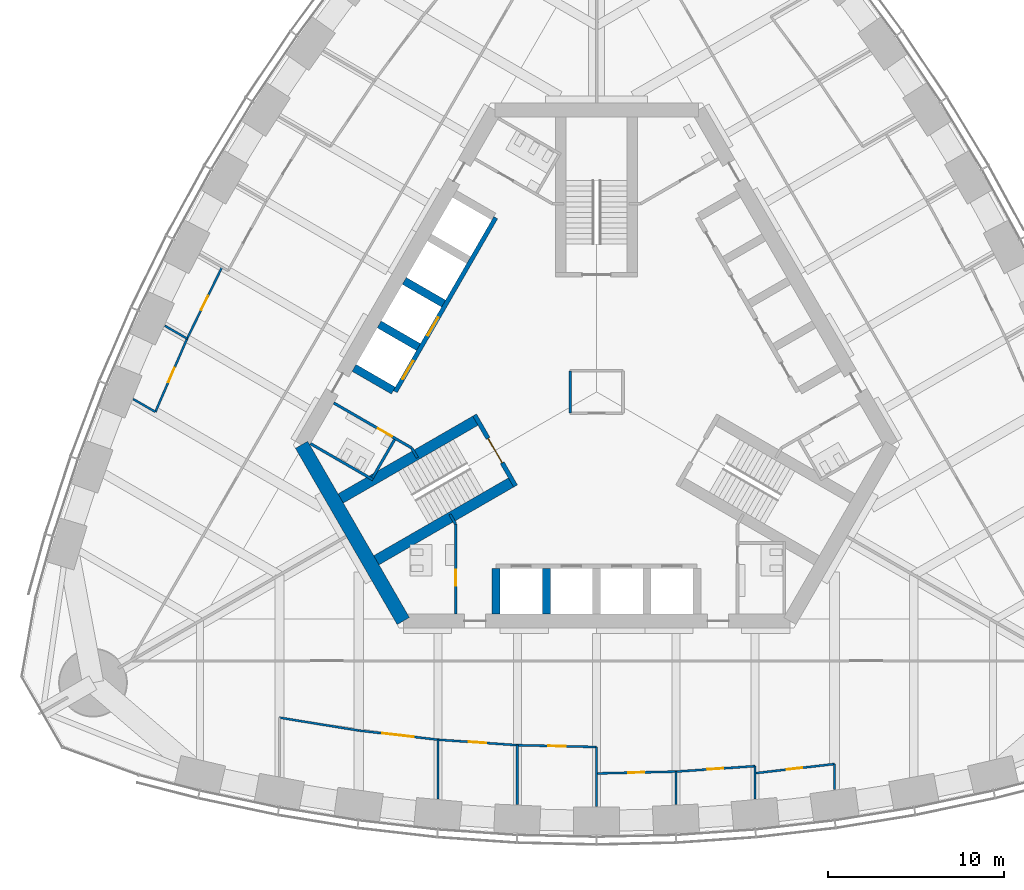
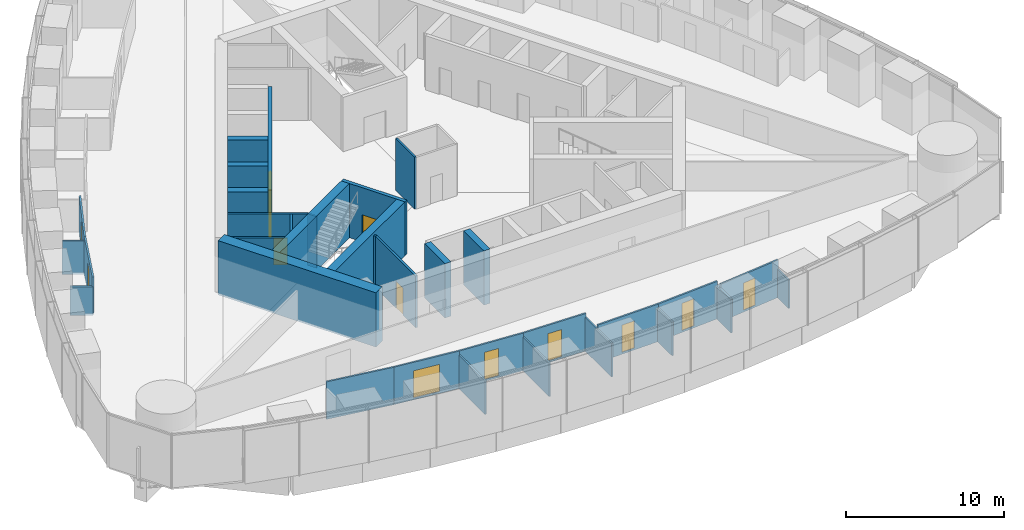
# One storey, part 11 of 19: 34 walls, 13 doors, 13 openings.
"""IFC4 building model written with IfcOpenShell, lengths in metres."""

from ifc_helpers import new_model, si_unit, direction, frame, frame_2d, origin, place, context, subcontext, project, spatial, rectangle, extrude, material, layer, layer_set, type_object, element, fill, save


model = new_model("IFC4")

# Units and contexts
model_context = context("Model", 3, precision=1e-05, world=origin(), true_north=direction((0.0, 1.0)))
body_context = subcontext(model_context, "Body", "Model", "MODEL_VIEW")
ifc_project = project(units=[si_unit("LENGTHUNIT", "METRE"), si_unit("AREAUNIT", "SQUARE_METRE"), si_unit("VOLUMEUNIT", "CUBIC_METRE"), si_unit("PLANEANGLEUNIT", "RADIAN"), si_unit("MASSUNIT", "GRAM", prefix="KILO")], contexts=[model_context])

# Site, building, storey
site_placement = place(None, origin())
site = spatial("IfcSite", under=ifc_project, at=site_placement, CompositionType="ELEMENT")
building_placement = place(site_placement, origin())
building = spatial("IfcBuilding", under=site, at=building_placement, Name="Trefoil Bronze Tower", CompositionType="ELEMENT")
storey_placement = place(building_placement, frame((0.0, 0.0, 189.699951171875)))
storey = spatial("IfcBuildingStorey", under=building, at=storey_placement, Name="L43", CompositionType="ELEMENT", Elevation=189.699951171875)

# Wall
ifc_material_1 = material(Name="Concrete B80", Category="concrete")
ifc_layer_1 = layer(ifc_material_1, 0.800048828125)
ifc_layer_set_1 = layer_set([ifc_layer_1], Name="Core wall 800")
wall_type_1 = type_object("IfcWallType", Name="Core wall 800", PredefinedType="SHEAR", material=ifc_layer_set_1)
wall_1_placement = place(storey_placement, frame((-16.7431640625, -3.0, 0.0), z_axis=(0.0, 0.0, 1.0), x_axis=(0.499995765644, -0.866027848477, 0.0)))
element("IfcWall", 1, at=wall_1_placement, inside=storey, type_object=wall_type_1, Name="Core short wall 3 L43", PredefinedType="SHEAR", context=body_context, shape_type="SweptSolid", body=[
    extrude(rectangle(XDim=11.546875, YDim=0.800048828125, at=frame_2d((5.7734375, 0.0))), origin(), (0.0, 0.0, 1.0), 4.199951171875),
])

# Wall, opening, door
ifc_material_2 = material(Name="Glazed partition", Category="glass")
ifc_layer_2 = layer(ifc_material_2, 0.1201171875)
ifc_layer_set_2 = layer_set([ifc_layer_2], Name="Glazed partition 120")
wall_type_2 = type_object("IfcWallType", Name="Glazed partition 120", PredefinedType="PARTITIONING", material=ifc_layer_set_2)
wall_2_placement = place(storey_placement, frame((0.0, -21.650634765625, 0.0), z_axis=(0.0, 0.0, 1.0), x_axis=(0.99973552509, 0.022997388381, 0.0)))
wall_2 = element("IfcWall", 2, at=wall_2_placement, inside=storey, type_object=wall_type_2, Name="Partition F1 L43", PredefinedType="PARTITIONING", context=body_context, shape_type="SweptSolid", body=[
    extrude(rectangle(XDim=4.501220703125, YDim=0.1201171875, at=frame_2d((2.25048828125, 0.0))), origin(), (0.0, 0.0, 1.0), 2.900146484375),
])
opening_1_placement = place(wall_2_placement, frame((1.800048828125, 0.0, 0.14990234375)))
opening_1 = element("IfcOpeningElement", 3, at=opening_1_placement, cuts=wall_2, Name="Opening D8", PredefinedType="OPENING", context=body_context, shape_type="SweptSolid", body=[
    extrude(rectangle(XDim=0.89990234375, YDim=2.10009765625, at=frame_2d((0.449951171875, 1.050048828125))), frame((0.0, 0.070068359375, 0.0), z_axis=(0.0, -1.0, 0.0), x_axis=(1.0, 0.0, 0.0)), (0.0, 0.0, 1.0), 0.14013671875),
])
ifc_material_3 = material(Name="Timber door", Category="wood")
door_type_1 = type_object("IfcDoorType", Name="Office door 900", OperationType="SINGLE_SWING_LEFT", PredefinedType="DOOR", material=ifc_material_3)
door_1_placement = place(opening_1_placement, frame((0.89990234375, 0.0, 0.0), z_axis=(0.0, 0.0, 1.0), x_axis=(-1.0, 0.0, 0.0)))
door_1 = element("IfcDoor", 4, at=door_1_placement, inside=storey, type_object=door_type_1, Name="Focus room door F1 L43", OperationType="SINGLE_SWING_RIGHT", OverallHeight=2.10009765625, OverallWidth=0.89990234375, PredefinedType="DOOR", context=body_context, shape_type="SweptSolid", body=[
    extrude(rectangle(XDim=0.89990234375, YDim=2.10009765625, at=frame_2d((0.449951171875, 1.050048828125))), frame((0.0, 0.02490234375, 0.0), z_axis=(0.0, -1.0, 0.0), x_axis=(1.0, 0.0, 0.0)), (0.0, 0.0, 1.0), 0.050048828125),
])
fill(opening_1, door_1)

wall_3_placement = place(storey_placement, frame((4.5, -21.547119140625, 0.0), z_axis=(0.0, 0.0, 1.0), x_axis=(0.997623533978, 0.068900540297, 0.0)))
wall_3 = element("IfcWall", 5, at=wall_3_placement, inside=storey, type_object=wall_type_2, Name="Partition F1 L43", PredefinedType="PARTITIONING", context=body_context, shape_type="SweptSolid", body=[
    extrude(rectangle(XDim=4.5107421875, YDim=0.1201171875, at=frame_2d((2.25537109375, 0.0))), origin(), (0.0, 0.0, 1.0), 2.900146484375),
])
opening_2_placement = place(wall_3_placement, frame((1.800048828125, 0.0, 0.14990234375)))
opening_2 = element("IfcOpeningElement", 6, at=opening_2_placement, cuts=wall_3, Name="Opening D8", PredefinedType="OPENING", context=body_context, shape_type="SweptSolid", body=[
    extrude(rectangle(XDim=0.89990234375, YDim=2.10009765625, at=frame_2d((0.449951171875, 1.050048828125))), frame((0.0, 0.070068359375, 0.0), z_axis=(0.0, -1.0, 0.0), x_axis=(1.0, 0.0, 0.0)), (0.0, 0.0, 1.0), 0.14013671875),
])
door_2_placement = place(opening_2_placement, frame((0.89990234375, 0.0, 0.0), z_axis=(0.0, 0.0, 1.0), x_axis=(-1.0, 0.0, 0.0)))
door_2 = element("IfcDoor", 7, at=door_2_placement, inside=storey, type_object=door_type_1, Name="Focus room door F1 L43", OperationType="SINGLE_SWING_RIGHT", OverallHeight=2.10009765625, OverallWidth=0.89990234375, PredefinedType="DOOR", context=body_context, shape_type="SweptSolid", body=[
    extrude(rectangle(XDim=0.89990234375, YDim=2.10009765625, at=frame_2d((0.449951171875, 1.050048828125))), frame((0.0, 0.02490234375, 0.0), z_axis=(0.0, -1.0, 0.0), x_axis=(1.0, 0.0, 0.0)), (0.0, 0.0, 1.0), 0.050048828125),
])
fill(opening_2, door_2)

wall_4_placement = place(storey_placement, frame((9.0, -21.636474609375, 0.0), z_axis=(0.0, 0.0, 1.0), x_axis=(0.993376796464, 0.114902307404, 0.0)))
wall_4 = element("IfcWall", 8, at=wall_4_placement, inside=storey, type_object=wall_type_2, Name="Partition F1 L43", PredefinedType="PARTITIONING", context=body_context, shape_type="SweptSolid", body=[
    extrude(rectangle(XDim=4.530029296875, YDim=0.1201171875, at=frame_2d((2.26513671875, 0.0))), origin(), (0.0, 0.0, 1.0), 2.900146484375),
])
opening_3_placement = place(wall_4_placement, frame((1.800048828125, 0.0, 0.14990234375)))
opening_3 = element("IfcOpeningElement", 9, at=opening_3_placement, cuts=wall_4, Name="Opening D8", PredefinedType="OPENING", context=body_context, shape_type="SweptSolid", body=[
    extrude(rectangle(XDim=0.89990234375, YDim=2.10009765625, at=frame_2d((0.449951171875, 1.050048828125))), frame((0.0, 0.070068359375, 0.0), z_axis=(0.0, -1.0, 0.0), x_axis=(1.0, 0.0, 0.0)), (0.0, 0.0, 1.0), 0.14013671875),
])
door_3_placement = place(opening_3_placement, frame((0.89990234375, 0.0, 0.0), z_axis=(0.0, 0.0, 1.0), x_axis=(-1.0, 0.0, 0.0)))
door_3 = element("IfcDoor", 10, at=door_3_placement, inside=storey, type_object=door_type_1, Name="Print and store room door F1 L43", OperationType="SINGLE_SWING_RIGHT", OverallHeight=2.10009765625, OverallWidth=0.89990234375, PredefinedType="DOOR", context=body_context, shape_type="SweptSolid", body=[
    extrude(rectangle(XDim=0.89990234375, YDim=2.10009765625, at=frame_2d((0.449951171875, 1.050048828125))), frame((0.0, 0.02490234375, 0.0), z_axis=(0.0, -1.0, 0.0), x_axis=(1.0, 0.0, 0.0)), (0.0, 0.0, 1.0), 0.050048828125),
])
fill(opening_3, door_3)

wall_5_placement = place(storey_placement, frame((-13.5, -19.216064453125, 0.0), z_axis=(0.0, 0.0, 1.0), x_axis=(0.993382946625, -0.114849124309, 0.0)))
wall_5 = element("IfcWall", 11, at=wall_5_placement, inside=storey, type_object=wall_type_2, Name="Partition F1 L43", PredefinedType="PARTITIONING", context=body_context, shape_type="SweptSolid", body=[
    extrude(rectangle(XDim=4.530029296875, YDim=0.1201171875, at=frame_2d((2.26513671875, 0.0))), origin(), (0.0, 0.0, 1.0), 2.900146484375),
])
opening_4_placement = place(wall_5_placement, frame((1.35009765625, 0.0, 0.14990234375)))
opening_4 = element("IfcOpeningElement", 12, at=opening_4_placement, cuts=wall_5, Name="Opening D10", PredefinedType="OPENING", context=body_context, shape_type="SweptSolid", body=[
    extrude(rectangle(XDim=1.800048828125, YDim=2.10009765625, at=frame_2d((0.89990234375, 1.050048828125))), frame((0.0, 0.070068359375, 0.0), z_axis=(0.0, -1.0, 0.0), x_axis=(1.0, 0.0, 0.0)), (0.0, 0.0, 1.0), 0.14013671875),
])
ifc_material_4 = material(Name="Timber door", Category="wood")
door_type_2 = type_object("IfcDoorType", Name="Double door 1800", OperationType="DOUBLE_DOOR_SINGLE_SWING", PredefinedType="DOOR", material=ifc_material_4)
door_4_placement = place(opening_4_placement, frame((1.800048828125, 0.0, 0.0), z_axis=(0.0, 0.0, 1.0), x_axis=(-1.0, 0.0, 0.0)))
door_4 = element("IfcDoor", 13, at=door_4_placement, inside=storey, type_object=door_type_2, Name="Kitchen and breakout door F1 L43", OperationType="DOUBLE_DOOR_SINGLE_SWING", OverallHeight=2.10009765625, OverallWidth=1.800048828125, PredefinedType="DOOR", context=body_context, shape_type="SweptSolid", body=[
    extrude(rectangle(XDim=1.800048828125, YDim=2.10009765625, at=frame_2d((0.89990234375, 1.050048828125))), frame((0.0, 0.02490234375, 0.0), z_axis=(0.0, -1.0, 0.0), x_axis=(1.0, 0.0, 0.0)), (0.0, 0.0, 1.0), 0.050048828125),
])
fill(opening_4, door_4)

# Wall
wall_6_placement = place(storey_placement, frame((-18.0, -18.48291015625, 0.0), z_axis=(0.0, 0.0, 1.0), x_axis=(0.986986525477, -0.160802980469, 0.0)))
element("IfcWall", 14, at=wall_6_placement, inside=storey, type_object=wall_type_2, Name="Partition F1 L43", PredefinedType="PARTITIONING", context=body_context, shape_type="SweptSolid", body=[
    extrude(rectangle(XDim=4.559326171875, YDim=0.1201171875, at=frame_2d((2.27978515625, 0.0))), origin(), (0.0, 0.0, 1.0), 2.900146484375),
])

# Wall, opening, door
wall_7_placement = place(storey_placement, frame((-4.5, -20.047119140625, 0.0), z_axis=(0.0, 0.0, 1.0), x_axis=(0.99973552509, -0.022997388381, 0.0)))
wall_7 = element("IfcWall", 15, at=wall_7_placement, inside=storey, type_object=wall_type_2, Name="Partition F1 L43", PredefinedType="PARTITIONING", context=body_context, shape_type="SweptSolid", body=[
    extrude(rectangle(XDim=4.501220703125, YDim=0.1201171875, at=frame_2d((2.25048828125, 0.0))), origin(), (0.0, 0.0, 1.0), 2.900146484375),
])
opening_5_placement = place(wall_7_placement, frame((1.75, 0.0, 0.14990234375)))
opening_5 = element("IfcOpeningElement", 16, at=opening_5_placement, cuts=wall_7, Name="Opening D9", PredefinedType="OPENING", context=body_context, shape_type="SweptSolid", body=[
    extrude(rectangle(XDim=1.0, YDim=2.10009765625, at=frame_2d((0.5, 1.050048828125))), frame((0.0, 0.070068359375, 0.0), z_axis=(0.0, -1.0, 0.0), x_axis=(1.0, 0.0, 0.0)), (0.0, 0.0, 1.0), 0.14013671875),
])
ifc_material_5 = material(Name="Glazed timber door", Category="wood")
door_type_3 = type_object("IfcDoorType", Name="Meeting room door 1000", OperationType="SINGLE_SWING_LEFT", PredefinedType="DOOR", material=ifc_material_5)
door_5_placement = place(opening_5_placement, frame((1.0, 0.0, 0.0), z_axis=(0.0, 0.0, 1.0), x_axis=(-1.0, 0.0, 0.0)))
door_5 = element("IfcDoor", 17, at=door_5_placement, inside=storey, type_object=door_type_3, Name="Meeting room door F1 L43", OperationType="SINGLE_SWING_RIGHT", OverallHeight=2.10009765625, OverallWidth=1.0, PredefinedType="DOOR", context=body_context, shape_type="SweptSolid", body=[
    extrude(rectangle(XDim=1.0, YDim=2.10009765625, at=frame_2d((0.5, 1.050048828125))), frame((0.0, 0.02490234375, 0.0), z_axis=(0.0, -1.0, 0.0), x_axis=(1.0, 0.0, 0.0)), (0.0, 0.0, 1.0), 0.050048828125),
])
fill(opening_5, door_5)

wall_8_placement = place(storey_placement, frame((-9.0, -19.736328125, 0.0), z_axis=(0.0, 0.0, 1.0), x_axis=(0.997623533978, -0.068900540297, 0.0)))
wall_8 = element("IfcWall", 18, at=wall_8_placement, inside=storey, type_object=wall_type_2, Name="Partition F1 L43", PredefinedType="PARTITIONING", context=body_context, shape_type="SweptSolid", body=[
    extrude(rectangle(XDim=4.5107421875, YDim=0.1201171875, at=frame_2d((2.25537109375, 0.0))), origin(), (0.0, 0.0, 1.0), 2.900146484375),
])
opening_6_placement = place(wall_8_placement, frame((1.75, 0.0, 0.14990234375)))
opening_6 = element("IfcOpeningElement", 19, at=opening_6_placement, cuts=wall_8, Name="Opening D9", PredefinedType="OPENING", context=body_context, shape_type="SweptSolid", body=[
    extrude(rectangle(XDim=1.0, YDim=2.10009765625, at=frame_2d((0.5, 1.050048828125))), frame((0.0, 0.070068359375, 0.0), z_axis=(0.0, -1.0, 0.0), x_axis=(1.0, 0.0, 0.0)), (0.0, 0.0, 1.0), 0.14013671875),
])
door_6_placement = place(opening_6_placement, frame((1.0, 0.0, 0.0), z_axis=(0.0, 0.0, 1.0), x_axis=(-1.0, 0.0, 0.0)))
door_6 = element("IfcDoor", 20, at=door_6_placement, inside=storey, type_object=door_type_3, Name="Meeting room door F1 L43", OperationType="SINGLE_SWING_RIGHT", OverallHeight=2.10009765625, OverallWidth=1.0, PredefinedType="DOOR", context=body_context, shape_type="SweptSolid", body=[
    extrude(rectangle(XDim=1.0, YDim=2.10009765625, at=frame_2d((0.5, 1.050048828125))), frame((0.0, 0.02490234375, 0.0), z_axis=(0.0, -1.0, 0.0), x_axis=(1.0, 0.0, 0.0)), (0.0, 0.0, 1.0), 0.050048828125),
])
fill(opening_6, door_6)

# Walls
wall_9_placement = place(storey_placement, frame((0.0, -20.150634765625, 0.0), z_axis=(0.0, 0.0, 1.0), x_axis=(0.0, -1.0, 0.0)))
element("IfcWall", 21, at=wall_9_placement, inside=storey, type_object=wall_type_2, Name="Partition F1 L43", PredefinedType="PARTITIONING", context=body_context, shape_type="SweptSolid", body=[
    extrude(rectangle(XDim=3.3701171875, YDim=0.1201171875, at=frame_2d((1.68505859375, 0.0))), origin(), (0.0, 0.0, 1.0), 2.60009765625),
])
wall_10_placement = place(storey_placement, frame((13.5, -21.115966796875, 0.0), z_axis=(0.0, 0.0, 1.0), x_axis=(0.0, -1.0, 0.0)))
element("IfcWall", 22, at=wall_10_placement, inside=storey, type_object=wall_type_2, Name="Partition F1 L43", PredefinedType="PARTITIONING", context=body_context, shape_type="SweptSolid", body=[
    extrude(rectangle(XDim=1.45458984375, YDim=0.1201171875, at=frame_2d((0.727294921875, 0.0))), origin(), (0.0, 0.0, 1.0), 2.199951171875),
])
wall_11_placement = place(storey_placement, frame((4.5, -21.547119140625, 0.0), z_axis=(0.0, 0.0, 1.0), x_axis=(0.0, -1.0, 0.0)))
element("IfcWall", 23, at=wall_11_placement, inside=storey, type_object=wall_type_2, Name="Partition F1 L43", PredefinedType="PARTITIONING", context=body_context, shape_type="SweptSolid", body=[
    extrude(rectangle(XDim=1.868408203125, YDim=0.1201171875, at=frame_2d((0.93408203125, 0.0))), origin(), (0.0, 0.0, 1.0), 2.60009765625),
])
wall_12_placement = place(storey_placement, frame((9.0, -21.236328125, 0.0), z_axis=(0.0, 0.0, 1.0), x_axis=(0.0, -1.0, 0.0)))
element("IfcWall", 24, at=wall_12_placement, inside=storey, type_object=wall_type_2, Name="Partition F1 L43", PredefinedType="PARTITIONING", context=body_context, shape_type="SweptSolid", body=[
    extrude(rectangle(XDim=1.86328125, YDim=0.1201171875, at=frame_2d((0.931640625, 0.0))), origin(), (0.0, 0.0, 1.0), 2.60009765625),
])
wall_13_placement = place(storey_placement, frame((-4.5, -20.047119140625, 0.0), z_axis=(0.0, 0.0, 1.0), x_axis=(0.0, -1.0, 0.0)))
element("IfcWall", 25, at=wall_13_placement, inside=storey, type_object=wall_type_2, Name="Partition F1 L43", PredefinedType="PARTITIONING", context=body_context, shape_type="SweptSolid", body=[
    extrude(rectangle(XDim=3.368408203125, YDim=0.1201171875, at=frame_2d((1.68408203125, 0.0))), origin(), (0.0, 0.0, 1.0), 2.60009765625),
])
wall_14_placement = place(storey_placement, frame((-9.0, -19.736328125, 0.0), z_axis=(0.0, 0.0, 1.0), x_axis=(0.0, -1.0, 0.0)))
element("IfcWall", 26, at=wall_14_placement, inside=storey, type_object=wall_type_2, Name="Partition F1 L43", PredefinedType="PARTITIONING", context=body_context, shape_type="SweptSolid", body=[
    extrude(rectangle(XDim=3.36328125, YDim=0.1201171875, at=frame_2d((1.681640625, 0.0))), origin(), (0.0, 0.0, 1.0), 2.60009765625),
])

# Wall, opening, door
wall_15_placement = place(storey_placement, frame((-21.2568359375, 7.076416015625, 0.0), z_axis=(0.0, 0.0, 1.0), x_axis=(-0.43911984878, -0.898428493764, 0.0)))
wall_15 = element("IfcWall", 27, at=wall_15_placement, inside=storey, type_object=wall_type_2, Name="Partition F3 L43", PredefinedType="PARTITIONING", context=body_context, shape_type="SweptSolid", body=[
    extrude(rectangle(XDim=4.5107421875, YDim=0.1201171875, at=frame_2d((2.25537109375, 0.0))), origin(), (0.0, 0.0, 1.0), 2.900146484375),
])
opening_7_placement = place(wall_15_placement, frame((1.800048828125, 0.0, 0.14990234375)))
opening_7 = element("IfcOpeningElement", 28, at=opening_7_placement, cuts=wall_15, Name="Opening D8", PredefinedType="OPENING", context=body_context, shape_type="SweptSolid", body=[
    extrude(rectangle(XDim=0.89990234375, YDim=2.10009765625, at=frame_2d((0.449951171875, 1.050048828125))), frame((0.0, 0.070068359375, 0.0), z_axis=(0.0, -1.0, 0.0), x_axis=(1.0, 0.0, 0.0)), (0.0, 0.0, 1.0), 0.14013671875),
])
door_7_placement = place(opening_7_placement, frame((0.89990234375, 0.0, 0.0), z_axis=(0.0, 0.0, 1.0), x_axis=(-1.0, 0.0, 0.0)))
door_7 = element("IfcDoor", 29, at=door_7_placement, inside=storey, type_object=door_type_1, Name="Print and store room door F3 L43", OperationType="SINGLE_SWING_RIGHT", OverallHeight=2.10009765625, OverallWidth=0.89990234375, PredefinedType="DOOR", context=body_context, shape_type="SweptSolid", body=[
    extrude(rectangle(XDim=0.89990234375, YDim=2.10009765625, at=frame_2d((0.449951171875, 1.050048828125))), frame((0.0, 0.02490234375, 0.0), z_axis=(0.0, -1.0, 0.0), x_axis=(1.0, 0.0, 0.0)), (0.0, 0.0, 1.0), 0.050048828125),
])
fill(opening_7, door_7)

wall_16_placement = place(storey_placement, frame((-23.237548828125, 3.02392578125, 0.0), z_axis=(0.0, 0.0, 1.0), x_axis=(-0.397253491631, -0.917708920839, 0.0)))
wall_16 = element("IfcWall", 30, at=wall_16_placement, inside=storey, type_object=wall_type_2, Name="Partition F3 L43", PredefinedType="PARTITIONING", context=body_context, shape_type="SweptSolid", body=[
    extrude(rectangle(XDim=4.530029296875, YDim=0.1201171875, at=frame_2d((2.26513671875, 0.0))), origin(), (0.0, 0.0, 1.0), 2.900146484375),
])
opening_8_placement = place(wall_16_placement, frame((1.800048828125, 0.0, 0.14990234375)))
opening_8 = element("IfcOpeningElement", 31, at=opening_8_placement, cuts=wall_16, Name="Opening D8", PredefinedType="OPENING", context=body_context, shape_type="SweptSolid", body=[
    extrude(rectangle(XDim=0.89990234375, YDim=2.10009765625, at=frame_2d((0.449951171875, 1.050048828125))), frame((0.0, 0.070068359375, 0.0), z_axis=(0.0, -1.0, 0.0), x_axis=(1.0, 0.0, 0.0)), (0.0, 0.0, 1.0), 0.14013671875),
])
door_8_placement = place(opening_8_placement, frame((0.89990234375, 0.0, 0.0), z_axis=(0.0, 0.0, 1.0), x_axis=(-1.0, 0.0, 0.0)))
door_8 = element("IfcDoor", 32, at=door_8_placement, inside=storey, type_object=door_type_1, Name="Comms room door F3 L43", OperationType="SINGLE_SWING_RIGHT", OverallHeight=2.10009765625, OverallWidth=0.89990234375, PredefinedType="DOOR", context=body_context, shape_type="SweptSolid", body=[
    extrude(rectangle(XDim=0.89990234375, YDim=2.10009765625, at=frame_2d((0.449951171875, 1.050048828125))), frame((0.0, 0.02490234375, 0.0), z_axis=(0.0, -1.0, 0.0), x_axis=(1.0, 0.0, 0.0)), (0.0, 0.0, 1.0), 0.050048828125),
])
fill(opening_8, door_8)

# Walls
wall_17_placement = place(storey_placement, frame((-25.037109375, -1.13330078125, 0.0), z_axis=(0.0, 0.0, 1.0), x_axis=(-0.865992696156, 0.500056646995, 0.0)))
element("IfcWall", 33, at=wall_17_placement, inside=storey, type_object=wall_type_2, Name="Partition F3 L43", PredefinedType="PARTITIONING", context=body_context, shape_type="SweptSolid", body=[
    extrude(rectangle(XDim=1.454345703125, YDim=0.1201171875, at=frame_2d((0.72705078125, 0.0))), origin(), (0.0, 0.0, 1.0), 2.199951171875),
])
wall_18_placement = place(storey_placement, frame((-23.237548828125, 3.02392578125, 0.0), z_axis=(0.0, 0.0, 1.0), x_axis=(-0.865985511038, 0.5000690899, 0.0)))
element("IfcWall", 34, at=wall_18_placement, inside=storey, type_object=wall_type_2, Name="Partition F3 L43", PredefinedType="PARTITIONING", context=body_context, shape_type="SweptSolid", body=[
    extrude(rectangle(XDim=1.463134765625, YDim=0.1201171875, at=frame_2d((0.7314453125, 0.0))), origin(), (0.0, 0.0, 1.0), 2.60009765625),
])
ifc_material_6 = material(Name="Concrete B80", Category="concrete")
ifc_layer_3 = layer(ifc_material_6, 0.449951171875)
ifc_layer_set_3 = layer_set([ifc_layer_3], Name="Outrigger shaft wall 450")
wall_type_3 = type_object("IfcWallType", Name="Outrigger shaft wall 450", PredefinedType="SHEAR", material=ifc_layer_set_3)
for number, where, z_axis, x_axis, name in (
    (35, (-5.699951171875, -10.02490234375, 0.0), (0.0, 0.0, 1.0), (0.0, -1.0, 0.0), "Lift shaft side wall A0 L43"),
    (36, (-2.85009765625, -10.02490234375, 0.0), (0.0, 0.0, 1.0), (0.0, -1.0, 0.0), "Lift shaft side wall A1 L43"),
):
    element("IfcWall", number, at=place(storey_placement, frame(where, z_axis=z_axis, x_axis=x_axis)), inside=storey, type_object=wall_type_3, Name=name, PredefinedType="SHEAR", context=body_context, shape_type="SweptSolid", body=[
        extrude(rectangle(XDim=2.5751953125, YDim=0.449951171875, at=frame_2d((1.28759765625, 0.0))), origin(), (0.0, 0.0, 1.0), 4.199951171875),
    ])
for number, where, z_axis, x_axis, name in (
    (37, (-8.681884765625, 5.012451171875, 0.0), (0.0, 0.0, 1.0), (-0.866005588531, 0.500034319456, 0.0), "Lift shaft side wall C2 L43"),
    (38, (-10.10693359375, 2.54443359375, 0.0), (0.0, 0.0, 1.0), (-0.866046643894, 0.499963209246, 0.0), "Lift shaft side wall C3 L43"),
    (39, (-11.531982421875, 0.076171875, 0.0), (0.0, 0.0, 1.0), (-0.866005588531, 0.500034319456, 0.0), "Lift shaft side wall C4 L43"),
):
    element("IfcWall", number, at=place(storey_placement, frame(where, z_axis=z_axis, x_axis=x_axis)), inside=storey, type_object=wall_type_3, Name=name, PredefinedType="SHEAR", context=body_context, shape_type="SweptSolid", body=[
        extrude(rectangle(XDim=2.574951171875, YDim=0.449951171875, at=frame_2d((1.28759765625, 0.0))), origin(), (0.0, 0.0, 1.0), 4.199951171875),
    ])

# Wall, opening, door
ifc_material_7 = material(Name="Gypsum board on steel studs", Category="steel")
ifc_layer_4 = layer(ifc_material_7, 0.14990234375)
ifc_layer_set_4 = layer_set([ifc_layer_4], Name="Partition 150")
wall_type_4 = type_object("IfcWallType", Name="Partition 150", PredefinedType="PARTITIONING", material=ifc_layer_set_4)
wall_19_placement = place(storey_placement, frame((-8.0, -7.5, 0.0), z_axis=(0.0, 0.0, 1.0), x_axis=(0.0, -1.0, 0.0)))
wall_19 = element("IfcWall", 40, at=wall_19_placement, inside=storey, type_object=wall_type_4, Name="Passage wall F1- L43", PredefinedType="PARTITIONING", context=body_context, shape_type="SweptSolid", body=[
    extrude(rectangle(XDim=5.10009765625, YDim=0.14990234375, at=frame_2d((2.550048828125, 0.0))), origin(), (0.0, 0.0, 1.0), 4.0),
])
opening_9_placement = place(wall_19_placement, frame((2.60009765625, 0.0, 0.0)))
opening_9 = element("IfcOpeningElement", 41, at=opening_9_placement, cuts=wall_19, Name="Opening D3", PredefinedType="OPENING", context=body_context, shape_type="SweptSolid", body=[
    extrude(rectangle(XDim=0.89990234375, YDim=2.10009765625, at=frame_2d((0.449951171875, 1.050048828125))), frame((0.0, 0.0849609375, 0.0), z_axis=(0.0, -1.0, 0.0), x_axis=(1.0, 0.0, 0.0)), (0.0, 0.0, 1.0), 0.169921875),
])
ifc_material_8 = material(Name="Timber door", Category="wood")
door_type_4 = type_object("IfcDoorType", Name="WC door 900", OperationType="SINGLE_SWING_LEFT", PredefinedType="DOOR", material=ifc_material_8)
door_9_placement = place(opening_9_placement, frame((0.89990234375, 0.0, 0.0), z_axis=(0.0, 0.0, 1.0), x_axis=(-1.0, 0.0, 0.0)))
door_9 = element("IfcDoor", 42, at=door_9_placement, inside=storey, type_object=door_type_4, Name="WC (women) door L43", OperationType="SINGLE_SWING_LEFT", OverallHeight=2.10009765625, OverallWidth=0.89990234375, PredefinedType="DOOR", context=body_context, shape_type="SweptSolid", body=[
    extrude(rectangle(XDim=0.89990234375, YDim=2.10009765625, at=frame_2d((0.449951171875, 1.050048828125))), frame((0.0, 0.02490234375, 0.0), z_axis=(0.0, -1.0, 0.0), x_axis=(1.0, 0.0, 0.0)), (0.0, 0.0, 1.0), 0.050048828125),
])
fill(opening_9, door_9)

wall_20_placement = place(storey_placement, frame((-10.4951171875, -3.17822265625, 0.0), z_axis=(0.0, 0.0, 1.0), x_axis=(-0.86602216432, 0.500005610874, 0.0)))
wall_20 = element("IfcWall", 43, at=wall_20_placement, inside=storey, type_object=wall_type_4, Name="Passage wall F3+ L43", PredefinedType="PARTITIONING", context=body_context, shape_type="SweptSolid", body=[
    extrude(rectangle(XDim=5.10009765625, YDim=0.14990234375, at=frame_2d((2.550048828125, 0.0))), origin(), (0.0, 0.0, 1.0), 4.0),
])
opening_10_placement = place(wall_20_placement, frame((1.300048828125, 0.0, 0.0)))
opening_10 = element("IfcOpeningElement", 44, at=opening_10_placement, cuts=wall_20, Name="Opening D3", PredefinedType="OPENING", context=body_context, shape_type="SweptSolid", body=[
    extrude(rectangle(XDim=0.89990234375, YDim=2.10009765625, at=frame_2d((0.449951171875, 1.050048828125))), frame((0.0, 0.0849609375, 0.0), z_axis=(0.0, -1.0, 0.0), x_axis=(1.0, 0.0, 0.0)), (0.0, 0.0, 1.0), 0.169921875),
])
door_10_placement = place(opening_10_placement, origin())
door_10 = element("IfcDoor", 45, at=door_10_placement, inside=storey, type_object=door_type_4, Name="WC (men) door L43", OperationType="SINGLE_SWING_LEFT", OverallHeight=2.10009765625, OverallWidth=0.89990234375, PredefinedType="DOOR", context=body_context, shape_type="SweptSolid", body=[
    extrude(rectangle(XDim=0.89990234375, YDim=2.10009765625, at=frame_2d((0.449951171875, 1.050048828125))), frame((0.0, 0.02490234375, 0.0), z_axis=(0.0, -1.0, 0.0), x_axis=(1.0, 0.0, 0.0)), (0.0, 0.0, 1.0), 0.050048828125),
])
fill(opening_10, door_10)

# Walls
for number, where, z_axis, x_axis, name in (
    (46, (-10.4951171875, -3.17822265625, 0.0), (0.0, 0.0, 1.0), (0.499842556608, -0.866116284689, 0.0), "WC wall ST3-1 L43"),
    (47, (-8.0, -7.5, 0.0), (0.0, 0.0, 1.0), (-0.499842556608, 0.866116284689, 0.0), "WC wall ST3+1 L43"),
):
    element("IfcWall", number, at=place(storey_placement, frame(where, z_axis=z_axis, x_axis=x_axis)), inside=storey, type_object=wall_type_4, Name=name, PredefinedType="PARTITIONING", context=body_context, shape_type="SweptSolid", body=[
        extrude(rectangle(XDim=0.645263671875, YDim=0.14990234375, at=frame_2d((0.32275390625, 0.0))), origin(), (0.0, 0.0, 1.0), 4.0),
    ])
wall_21_placement = place(storey_placement, frame((-12.691162109375, -4.98193359375, 0.0), z_axis=(0.0, 0.0, 1.0), x_axis=(-0.8660249478, 0.500000789788, 0.0)))
element("IfcWall", 48, at=wall_21_placement, inside=storey, type_object=wall_type_4, Name="WC partition WC (men) L43", PredefinedType="PARTITIONING", context=body_context, shape_type="SweptSolid", body=[
    extrude(rectangle(XDim=4.10009765625, YDim=0.14990234375, at=frame_2d((2.050048828125, 0.0))), origin(), (0.0, 0.0, 1.0), 4.0),
])
wall_22_placement = place(storey_placement, frame((-11.463623046875, -2.70556640625, 0.0), z_axis=(0.0, 0.0, 1.0), x_axis=(-0.50001992892, -0.866013897511, 0.0)))
element("IfcWall", 49, at=wall_22_placement, inside=storey, type_object=wall_type_4, Name="WC partition WC (men) L43", PredefinedType="PARTITIONING", context=body_context, shape_type="SweptSolid", body=[
    extrude(rectangle(XDim=2.51025390625, YDim=0.14990234375, at=frame_2d((1.255126953125, 0.0))), origin(), (0.0, 0.0, 1.0), 4.0),
])
ifc_material_9 = material(Name="Gypsum board on steel studs", Category="steel")
ifc_layer_5 = layer(ifc_material_9, 0.14990234375)
ifc_layer_set_5 = layer_set([ifc_layer_5], Name="Riser wall 150")
wall_type_5 = type_object("IfcWallType", Name="Riser wall 150", PredefinedType="PARTITIONING", material=ifc_layer_set_5)
wall_23_placement = place(storey_placement, frame((-1.5, 1.199951171875, 0.0), z_axis=(0.0, 0.0, 1.0), x_axis=(0.0, -1.0, 0.0)))
element("IfcWall", 50, at=wall_23_placement, inside=storey, type_object=wall_type_5, Name="Riser wall L43", PredefinedType="PARTITIONING", context=body_context, shape_type="SweptSolid", body=[
    extrude(rectangle(XDim=2.39990234375, YDim=0.14990234375, at=frame_2d((1.199951171875, 0.0))), origin(), (0.0, 0.0, 1.0), 4.0),
])

# Wall, openings, doors
ifc_material_10 = material(Name="Concrete B80", Category="concrete")
ifc_layer_6 = layer(ifc_material_10, 0.25)
ifc_layer_set_6 = layer_set([ifc_layer_6], Name="Shaft wall 250")
wall_type_6 = type_object("IfcWallType", Name="Shaft wall 250", PredefinedType="SHEAR", material=ifc_layer_set_6)
wall_24_placement = place(storey_placement, frame((-5.7236328125, 9.88623046875, 0.0), z_axis=(0.0, 0.0, 1.0), x_axis=(-0.500001763848, -0.866024385424, 0.0)))
wall_24 = element("IfcWall", 51, at=wall_24_placement, inside=storey, type_object=wall_type_6, Name="Lift shaft front wall C L43", PredefinedType="SHEAR", context=body_context, shape_type="SweptSolid", body=[
    extrude(rectangle(XDim=11.39990234375, YDim=0.25, at=frame_2d((5.699951171875, 0.0))), origin(), (0.0, 0.0, 1.0), 4.199951171875),
])
opening_11_placement = place(wall_24_placement, frame((6.52490234375, 0.0, 0.0)))
opening_11 = element("IfcOpeningElement", 52, at=opening_11_placement, cuts=wall_24, Name="Opening LD-FL1", PredefinedType="OPENING", context=body_context, shape_type="SweptSolid", body=[
    extrude(rectangle(XDim=1.199951171875, YDim=2.199951171875, at=frame_2d((0.60009765625, 1.10009765625))), frame((0.0, 0.135009765625, 0.0), z_axis=(0.0, -1.0, 0.0), x_axis=(1.0, 0.0, 0.0)), (0.0, 0.0, 1.0), 0.27001953125),
])
opening_12_placement = place(wall_24_placement, frame((9.375, 0.0, 0.0)))
opening_12 = element("IfcOpeningElement", 53, at=opening_12_placement, cuts=wall_24, Name="Opening LD-FL2", PredefinedType="OPENING", context=body_context, shape_type="SweptSolid", body=[
    extrude(rectangle(XDim=1.199951171875, YDim=2.199951171875, at=frame_2d((0.60009765625, 1.10009765625))), frame((0.0, 0.135009765625, 0.0), z_axis=(0.0, -1.0, 0.0), x_axis=(1.0, 0.0, 0.0)), (0.0, 0.0, 1.0), 0.27001953125),
])
ifc_material_11 = material(Name="Steel door", Category="steel")
door_type_5 = type_object("IfcDoorType", Name="Lift landing door 1200", OperationType="DOUBLE_DOOR_SLIDING", PredefinedType="DOOR", material=ifc_material_11)
door_11_placement = place(opening_11_placement, origin())
door_11 = element("IfcDoor", 54, at=door_11_placement, inside=storey, type_object=door_type_5, Name="Lift FL1 landing door L43", OperationType="DOUBLE_DOOR_SLIDING", OverallHeight=2.199951171875, OverallWidth=1.199951171875, PredefinedType="DOOR", context=body_context, shape_type="SweptSolid", body=[
    extrude(rectangle(XDim=1.199951171875, YDim=2.199951171875, at=frame_2d((0.60009765625, 1.10009765625))), frame((0.0, 0.02490234375, 0.0), z_axis=(0.0, -1.0, 0.0), x_axis=(1.0, 0.0, 0.0)), (0.0, 0.0, 1.0), 0.050048828125),
])
fill(opening_11, door_11)
door_12_placement = place(opening_12_placement, origin())
door_12 = element("IfcDoor", 55, at=door_12_placement, inside=storey, type_object=door_type_5, Name="Lift FL2 landing door L43", OperationType="DOUBLE_DOOR_SLIDING", OverallHeight=2.199951171875, OverallWidth=1.199951171875, PredefinedType="DOOR", context=body_context, shape_type="SweptSolid", body=[
    extrude(rectangle(XDim=1.199951171875, YDim=2.199951171875, at=frame_2d((0.60009765625, 1.10009765625))), frame((0.0, 0.02490234375, 0.0), z_axis=(0.0, -1.0, 0.0), x_axis=(1.0, 0.0, 0.0)), (0.0, 0.0, 1.0), 0.050048828125),
])
fill(opening_12, door_12)

# Wall, opening, door
wall_25_placement = place(storey_placement, frame((-6.921630859375, -1.3115234375, 0.0), z_axis=(0.0, 0.0, 1.0), x_axis=(0.499984536904, -0.866034331223, 0.0)))
wall_25 = element("IfcWall", 56, at=wall_25_placement, inside=storey, type_object=wall_type_6, Name="Stair end wall ST3 L43", PredefinedType="SHEAR", context=body_context, shape_type="SweptSolid", body=[
    extrude(rectangle(XDim=4.650146484375, YDim=0.25, at=frame_2d((2.3251953125, 0.0))), origin(), (0.0, 0.0, 1.0), 4.199951171875),
])
opening_13_placement = place(wall_25_placement, frame((1.52490234375, 0.0, 0.0)))
opening_13 = element("IfcOpeningElement", 57, at=opening_13_placement, cuts=wall_25, Name="Opening D1", PredefinedType="OPENING", context=body_context, shape_type="SweptSolid", body=[
    extrude(rectangle(XDim=1.60009765625, YDim=2.10009765625, at=frame_2d((0.800048828125, 1.050048828125))), frame((0.0, 0.135009765625, 0.0), z_axis=(0.0, -1.0, 0.0), x_axis=(1.0, 0.0, 0.0)), (0.0, 0.0, 1.0), 0.27001953125),
])
ifc_material_12 = material(Name="Steel door", Category="steel")
door_type_6 = type_object("IfcDoorType", Name="Stair door 1600", OperationType="DOUBLE_DOOR_SINGLE_SWING", PredefinedType="DOOR", material=ifc_material_12)
door_13_placement = place(opening_13_placement, frame((1.60009765625, 0.0, 0.0), z_axis=(0.0, 0.0, 1.0), x_axis=(-1.0, 0.0, 0.0)))
door_13 = element("IfcDoor", 58, at=door_13_placement, inside=storey, type_object=door_type_6, Name="Stair door ST3 L43", OperationType="DOUBLE_DOOR_SINGLE_SWING", OverallHeight=2.10009765625, OverallWidth=1.60009765625, PredefinedType="DOOR", context=body_context, shape_type="SweptSolid", body=[
    extrude(rectangle(XDim=1.60009765625, YDim=2.10009765625, at=frame_2d((0.800048828125, 1.050048828125))), frame((0.0, 0.02490234375, 0.0), z_axis=(0.0, -1.0, 0.0), x_axis=(1.0, 0.0, 0.0)), (0.0, 0.0, 1.0), 0.050048828125),
])
fill(opening_13, door_13)

# Walls
ifc_material_13 = material(Name="Concrete B80", Category="concrete")
ifc_layer_7 = layer(ifc_material_13, 0.60009765625)
ifc_layer_set_7 = layer_set([ifc_layer_7], Name="Stair wall 600")
wall_type_7 = type_object("IfcWallType", Name="Stair wall 600", PredefinedType="SHEAR", material=ifc_layer_set_7)
for number, where, z_axis, x_axis, name in (
    (59, (-6.663330078125, -1.5087890625, 0.0), (0.0, 0.0, 1.0), (-0.866019375473, -0.500010441196, 0.0), "Stair wall ST3 L43"),
    (60, (-4.638427734375, -5.01611328125, 0.0), (0.0, 0.0, 1.0), (-0.866019375473, -0.500010441196, 0.0), "Stair wall ST3 L43"),
):
    element("IfcWall", number, at=place(storey_placement, frame(where, z_axis=z_axis, x_axis=x_axis)), inside=storey, type_object=wall_type_7, Name=name, PredefinedType="SHEAR", context=body_context, shape_type="SweptSolid", body=[
        extrude(rectangle(XDim=9.074951171875, YDim=0.60009765625, at=frame_2d((4.53759765625, 0.0))), origin(), (0.0, 0.0, 1.0), 4.199951171875),
    ])

save(model, "model.ifc")
